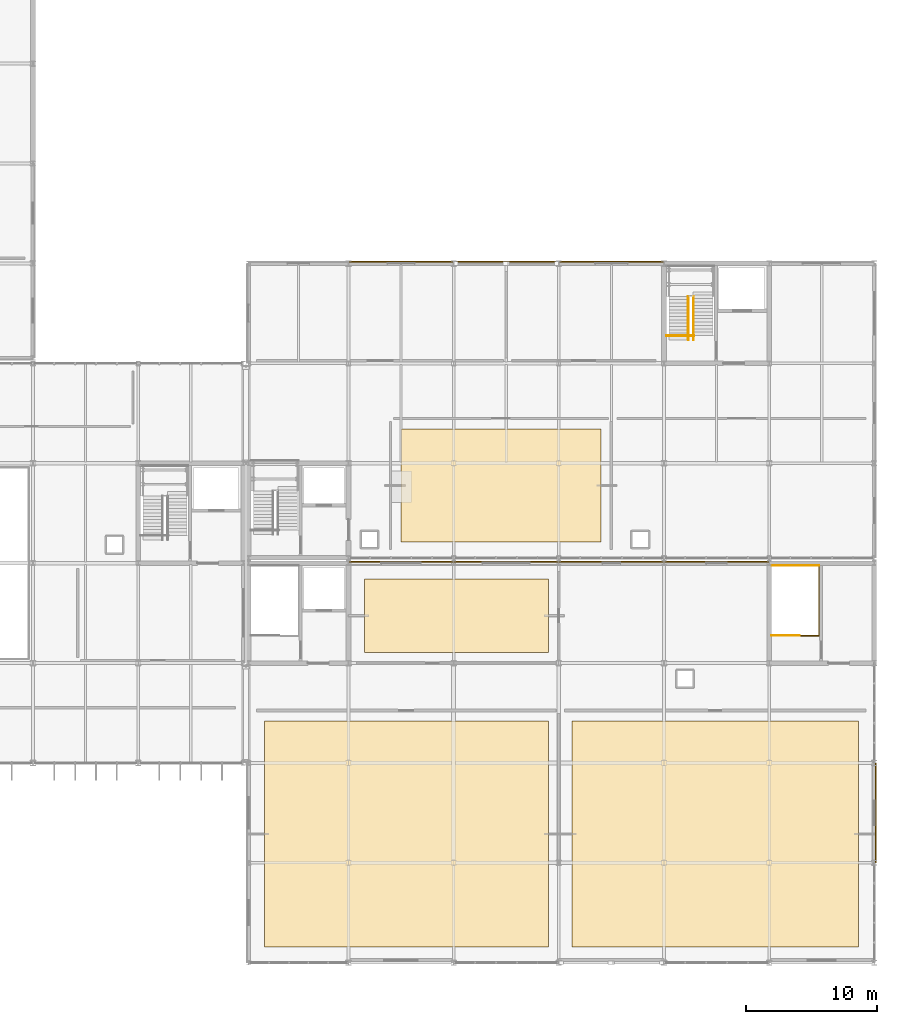
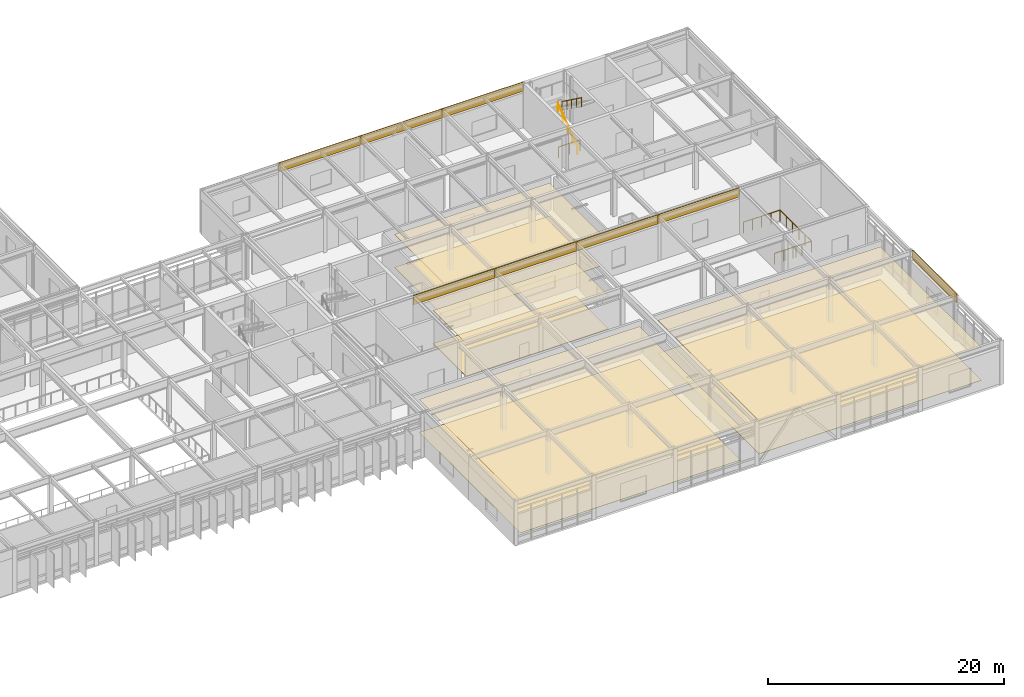
# One storey, part 103 of 104: 16 coverings, 6 railings.
"""IFC4 building model written with IfcOpenShell, lengths in metres."""

from ifc_helpers import new_model, si_unit, direction, frame, origin, origin_2d, place, context, subcontext, project, spatial, polyline, rectangle, circle, outline, extrude, material, layer, layer_set, type_object, element, save


model = new_model("IFC4")

# Units and contexts
model_context = context("Model", 3, precision=1e-05, world=origin(), true_north=direction((0.0, 1.0)))
body_context = subcontext(model_context, "Body", "Model", "MODEL_VIEW")
ifc_project = project(units=[si_unit("LENGTHUNIT", "METRE"), si_unit("AREAUNIT", "SQUARE_METRE"), si_unit("VOLUMEUNIT", "CUBIC_METRE"), si_unit("PLANEANGLEUNIT", "RADIAN"), si_unit("MASSUNIT", "GRAM", prefix="KILO")], contexts=[model_context])

# Site, building, storey
site_placement = place(None, origin())
site = spatial("IfcSite", under=ifc_project, at=site_placement, CompositionType="ELEMENT")
building_placement = place(site_placement, origin())
building = spatial("IfcBuilding", under=site, at=building_placement, Name="Zulena Civic Courthouse", CompositionType="ELEMENT")
storey_placement = place(building_placement, frame((0.0, 0.0, 15.60009765625)))
storey = spatial("IfcBuildingStorey", under=building, at=storey_placement, Name="L03", CompositionType="ELEMENT", Elevation=15.60009765625)

# Coverings
ifc_material_1 = material(Name="Perforated acoustic mineral-fibre ceiling tile", Category="concrete")
ifc_layer_1 = layer(ifc_material_1, 0.02490234375)
ifc_layer_set_1 = layer_set([ifc_layer_1], Name="Perforated acoustic mineral-fibre ceiling tile")
covering_type_1 = type_object("IfcCoveringType", Name="AcousticCeiling_25", PredefinedType="CEILING", material=ifc_layer_set_1)
covering_1_placement = place(storey_placement, frame((0.0, 0.0, 3.419921875)))
element("IfcCovering", 1, at=covering_1_placement, inside=storey, type_object=covering_type_1, Name="ceil:L03:226", PredefinedType="CEILING", context=body_context, shape_type="SweptSolid", body=[
    extrude(outline(polyline([(125.60009765625, 1.199951171875), (147.199951171875, 1.199951171875), (147.199951171875, 18.39990234375), (125.60009765625, 18.39990234375), (125.60009765625, 1.199951171875)])), origin(), (0.0, 0.0, 1.0), 0.02490234375),
])
covering_2_placement = place(storey_placement, frame((0.0, 0.0, 3.419921875)))
element("IfcCovering", 2, at=covering_2_placement, inside=storey, type_object=covering_type_1, Name="ceil:L03:227", PredefinedType="CEILING", context=body_context, shape_type="SweptSolid", body=[
    extrude(outline(polyline([(149.0, 1.199951171875), (170.800048828125, 1.199951171875), (170.800048828125, 18.39990234375), (149.0, 18.39990234375), (149.0, 1.199951171875)])), origin(), (0.0, 0.0, 1.0), 0.02490234375),
])
covering_3_placement = place(storey_placement, frame((0.0, 0.0, 3.419921875)))
element("IfcCovering", 3, at=covering_3_placement, inside=storey, type_object=covering_type_1, Name="ceil:L03:228", PredefinedType="CEILING", context=body_context, shape_type="SweptSolid", body=[
    extrude(outline(polyline([(133.199951171875, 23.60009765625), (147.199951171875, 23.60009765625), (147.199951171875, 29.199951171875), (133.199951171875, 29.199951171875), (133.199951171875, 23.60009765625)])), origin(), (0.0, 0.0, 1.0), 0.02490234375),
])
covering_4_placement = place(storey_placement, frame((0.0, 0.0, 3.419921875)))
element("IfcCovering", 4, at=covering_4_placement, inside=storey, type_object=covering_type_1, Name="ceil:L03:274", PredefinedType="CEILING", context=body_context, shape_type="SweptSolid", body=[
    extrude(outline(polyline([(136.0, 32.0), (151.199951171875, 32.0), (151.199951171875, 40.60009765625), (136.0, 40.60009765625), (136.0, 32.0)])), origin(), (0.0, 0.0, 1.0), 0.02490234375),
])

# Railings
ifc_material_2 = material(Name="Brushed architectural steel ASTM A36", Category="steel")
railing_type_1 = type_object("IfcRailingType", Name="InteriorGuardrail_1150", PredefinedType="GUARDRAIL", material=ifc_material_2)
railing_1_placement = place(storey_placement, frame((164.199951171875, 30.2099609375, 0.0)))
element("IfcRailing", 5, at=railing_1_placement, inside=storey, type_object=railing_type_1, Name="gr:wellN:K1B:L02", PredefinedType="GUARDRAIL", context=body_context, shape_type="SweptSolid", body=[
    extrude(circle(Radius=0.02392578125, at=origin_2d()), frame((0.00390625, 0.0, 1.1259765625), z_axis=(1.0, 0.0, 0.0), x_axis=(0.0, 1.0, 0.0)), (0.0, 0.0, 1.0), 3.592041015625),
    extrude(circle(Radius=0.02099609375, at=origin_2d()), origin(), (0.0, 0.0, 1.0), 1.097900390625),
    extrude(circle(Radius=0.02099609375, at=origin_2d()), frame((0.89990234375, 0.0, 0.0)), (0.0, 0.0, 1.0), 1.097900390625),
    extrude(circle(Radius=0.02099609375, at=origin_2d()), frame((1.800048828125, 0.0, 0.0)), (0.0, 0.0, 1.0), 1.097900390625),
    extrude(circle(Radius=0.02099609375, at=origin_2d()), frame((2.7001953125, 0.0, 0.0)), (0.0, 0.0, 1.0), 1.097900390625),
    extrude(circle(Radius=0.02099609375, at=origin_2d()), frame((3.60009765625, 0.0, 0.0)), (0.0, 0.0, 1.0), 1.097900390625),
])
railing_2_placement = place(storey_placement, frame((167.800048828125, 30.219970703125, 0.0)))
element("IfcRailing", 6, at=railing_2_placement, inside=storey, type_object=railing_type_1, Name="gr:topwell:K1B:L02", PredefinedType="GUARDRAIL", context=body_context, shape_type="SweptSolid", body=[
    extrude(circle(Radius=0.02392578125, at=origin_2d()), frame((0.0, -0.00390625, 1.1259765625), z_axis=(0.0, -1.0, 0.0), x_axis=(1.0, 0.0, 0.0)), (0.0, 0.0, 1.0), 5.33203125),
    extrude(circle(Radius=0.02392578125, at=origin_2d()), frame((-0.00390625, -5.340087890625, 1.1259765625), z_axis=(-1.0, 0.0, 0.0), x_axis=(0.0, -1.0, 0.0)), (0.0, 0.0, 1.0), 3.612060546875),
    extrude(circle(Radius=0.02099609375, at=origin_2d()), origin(), (0.0, 0.0, 1.0), 1.097900390625),
    extrude(circle(Radius=0.02099609375, at=origin_2d()), frame((0.0, -1.068115234375, 0.0)), (0.0, 0.0, 1.0), 1.097900390625),
    extrude(circle(Radius=0.02099609375, at=origin_2d()), frame((0.0, -2.135986328125, 0.0)), (0.0, 0.0, 1.0), 1.097900390625),
    extrude(circle(Radius=0.02099609375, at=origin_2d()), frame((0.0, -3.2041015625, 0.0)), (0.0, 0.0, 1.0), 1.097900390625),
    extrude(circle(Radius=0.02099609375, at=origin_2d()), frame((0.0, -4.27197265625, 0.0)), (0.0, 0.0, 1.0), 1.097900390625),
    extrude(circle(Radius=0.02099609375, at=origin_2d()), frame((0.0, -5.340087890625, 0.0)), (0.0, 0.0, 1.0), 1.097900390625),
    extrude(circle(Radius=0.02099609375, at=origin_2d()), frame((-0.905029296875, -5.340087890625, 0.0)), (0.0, 0.0, 1.0), 1.097900390625),
    extrude(circle(Radius=0.02099609375, at=origin_2d()), frame((-1.81005859375, -5.340087890625, 0.0)), (0.0, 0.0, 1.0), 1.097900390625),
    extrude(circle(Radius=0.02099609375, at=origin_2d()), frame((-2.715087890625, -5.340087890625, 0.0)), (0.0, 0.0, 1.0), 1.097900390625),
    extrude(circle(Radius=0.02099609375, at=origin_2d()), frame((-3.6201171875, -5.340087890625, 0.0)), (0.0, 0.0, 1.0), 1.097900390625),
])
for number, where, name in (
    (7, (164.179931640625, 24.89990234375, 0.0), "gr:wells:K1B:L03"),
    (8, (156.179931640625, 47.699951171875, 0.0), "gr:wells:K3B:L03"),
):
    element("IfcRailing", number, at=place(storey_placement, frame(where)), inside=storey, type_object=railing_type_1, Name=name, PredefinedType="GUARDRAIL", context=body_context, shape_type="SweptSolid", body=[
        extrude(circle(Radius=0.02392578125, at=origin_2d()), frame((0.00390625, 0.0, 1.1259765625), z_axis=(1.0, 0.0, 0.0), x_axis=(0.0, 1.0, 0.0)), (0.0, 0.0, 1.0), 2.112060546875),
        extrude(circle(Radius=0.02099609375, at=origin_2d()), origin(), (0.0, 0.0, 1.0), 1.097900390625),
        extrude(circle(Radius=0.02099609375, at=origin_2d()), frame((1.06005859375, 0.0, 0.0)), (0.0, 0.0, 1.0), 1.097900390625),
        extrude(circle(Radius=0.02099609375, at=origin_2d()), frame((2.1201171875, 0.0, 0.0)), (0.0, 0.0, 1.0), 1.097900390625),
    ])

# Coverings
ifc_material_3 = material(Name="White architectural precast concrete C40/50", Category="concrete")
ifc_layer_2 = layer(ifc_material_3, 0.0849609375)
ifc_layer_set_2 = layer_set([ifc_layer_2], Name="White architectural precast concrete C40/50")
covering_type_2 = type_object("IfcCoveringType", Name="PrecastSpandrelCladding_85", PredefinedType="CLADDING", material=ifc_layer_set_2)
for number, where, z_axis, x_axis, name in (
    (9, (136.0, 30.52001953125, 3.659912109375), (0.0, 0.0, 1.0), (1.0, 0.0, 0.0), "clad:sp:V1:L03:1:1"),
    (10, (144.0, 30.52001953125, 3.659912109375), (0.0, 0.0, 1.0), (1.0, 0.0, 0.0), "clad:sp:V1:L03:1:2"),
    (11, (152.0, 30.52001953125, 3.659912109375), (0.0, 0.0, 1.0), (1.0, 0.0, 0.0), "clad:sp:V1:L03:1:3"),
    (12, (160.0, 30.52001953125, 3.659912109375), (0.0, 0.0, 1.0), (1.0, 0.0, 0.0), "clad:sp:V1:L03:1:4"),
):
    element("IfcCovering", number, at=place(storey_placement, frame(where, z_axis=z_axis, x_axis=x_axis)), inside=storey, type_object=covering_type_2, Name=name, PredefinedType="CLADDING", context=body_context, shape_type="SweptSolid", body=[
        extrude(rectangle(XDim=7.9599609375, YDim=0.0849609375, at=origin_2d()), origin(), (0.0, 0.0, 1.0), 0.93994140625),
    ])
covering_5_placement = place(storey_placement, frame((172.1201171875, 11.39990234375, 3.659912109375), z_axis=(0.0, 0.0, 1.0), x_axis=(0.0, -1.0, 0.0)))
element("IfcCovering", 13, at=covering_5_placement, inside=storey, type_object=covering_type_2, Name="clad:sp:V1:L03:2:2", PredefinedType="CLADDING", context=body_context, shape_type="SweptSolid", body=[
    extrude(rectangle(XDim=7.56005859375, YDim=0.0849609375, at=origin_2d()), origin(), (0.0, 0.0, 1.0), 0.93994140625),
])
for number, where, z_axis, x_axis, name in (
    (14, (136.0, 53.320068359375, 3.60498046875), (0.0, 0.0, 1.0), (1.0, 0.0, 0.0), "clad:sp:V3:L03:1:1"),
    (15, (144.0, 53.320068359375, 3.60498046875), (0.0, 0.0, 1.0), (1.0, 0.0, 0.0), "clad:sp:V3:L03:1:2"),
    (16, (152.0, 53.320068359375, 3.60498046875), (0.0, 0.0, 1.0), (1.0, 0.0, 0.0), "clad:sp:V3:L03:1:3"),
):
    element("IfcCovering", number, at=place(storey_placement, frame(where, z_axis=z_axis, x_axis=x_axis)), inside=storey, type_object=covering_type_2, Name=name, PredefinedType="CLADDING", context=body_context, shape_type="SweptSolid", body=[
        extrude(rectangle(XDim=7.9599609375, YDim=0.0849609375, at=origin_2d()), origin(), (0.0, 0.0, 1.0), 0.93994140625),
    ])

# Railings
railing_type_2 = type_object("IfcRailingType", Name="StairHandrail_920", PredefinedType="HANDRAIL", material=ifc_material_2)
railing_3_placement = place(storey_placement, frame((157.85009765625, 47.3798828125, 0.0)))
element("IfcRailing", 17, at=railing_3_placement, inside=storey, type_object=railing_type_2, Name="hr:K3B:L03:1", PredefinedType="HANDRAIL", context=body_context, shape_type="SweptSolid", body=[
    extrude(circle(Radius=0.02392578125, at=origin_2d()), frame((0.0, 0.003173828125, 0.898193359375), z_axis=(0.0, 0.80998804985, 0.586446382119), x_axis=(-1.0, 0.0, 0.0)), (0.0, 0.0, 1.0), 4.084228515625),
    extrude(circle(Radius=0.02099609375, at=origin_2d()), origin(), (0.0, 0.0, 1.0), 0.867919921875),
    extrude(circle(Radius=0.02099609375, at=origin_2d()), frame((0.0, 0.82861328125, 0.60009765625)), (0.0, 0.0, 1.0), 0.867919921875),
    extrude(circle(Radius=0.02099609375, at=origin_2d()), frame((0.0, 1.6572265625, 1.199951171875)), (0.0, 0.0, 1.0), 0.867919921875),
    extrude(circle(Radius=0.02099609375, at=origin_2d()), frame((0.0, 2.486083984375, 1.7998046875)), (0.0, 0.0, 1.0), 0.867919921875),
    extrude(circle(Radius=0.02099609375, at=origin_2d()), frame((0.0, 3.314697265625, 2.39990234375)), (0.0, 0.0, 1.0), 0.867919921875),
])
railing_4_placement = place(storey_placement, frame((158.25, 50.694580078125, 2.39990234375)))
element("IfcRailing", 18, at=railing_4_placement, inside=storey, type_object=railing_type_2, Name="hr:K3B:L03:2", PredefinedType="HANDRAIL", context=body_context, shape_type="SweptSolid", body=[
    extrude(circle(Radius=0.02392578125, at=origin_2d()), frame((0.0, -0.003173828125, 0.898193359375), z_axis=(0.0, -0.80998804985, 0.586446382119), x_axis=(1.0, 0.0, 0.0)), (0.0, 0.0, 1.0), 4.084228515625),
    extrude(circle(Radius=0.02099609375, at=origin_2d()), origin(), (0.0, 0.0, 1.0), 0.867919921875),
    extrude(circle(Radius=0.02099609375, at=origin_2d()), frame((0.0, -0.82861328125, 0.60009765625)), (0.0, 0.0, 1.0), 0.867919921875),
    extrude(circle(Radius=0.02099609375, at=origin_2d()), frame((0.0, -1.6572265625, 1.199951171875)), (0.0, 0.0, 1.0), 0.867919921875),
    extrude(circle(Radius=0.02099609375, at=origin_2d()), frame((0.0, -2.486083984375, 1.7998046875)), (0.0, 0.0, 1.0), 0.867919921875),
    extrude(circle(Radius=0.02099609375, at=origin_2d()), frame((0.0, -3.314697265625, 2.39990234375)), (0.0, 0.0, 1.0), 0.867919921875),
])

# Coverings
ifc_material_4 = material(Name="Honed travertine stone flooring", Category="masonry")
ifc_layer_3 = layer(ifc_material_4, 0.030029296875)
ifc_layer_set_3 = layer_set([ifc_layer_3], Name="Honed travertine stone flooring")
covering_type_3 = type_object("IfcCoveringType", Name="TravertineFlooring_30", PredefinedType="FLOORING", material=ifc_layer_set_3)
covering_6_placement = place(storey_placement, origin())
element("IfcCovering", 19, at=covering_6_placement, inside=storey, type_object=covering_type_3, Name="floor:L03:226", PredefinedType="FLOORING", context=body_context, shape_type="SweptSolid", body=[
    extrude(outline(polyline([(125.60009765625, 1.199951171875), (147.199951171875, 1.199951171875), (147.199951171875, 18.39990234375), (125.60009765625, 18.39990234375), (125.60009765625, 1.199951171875)])), origin(), (0.0, 0.0, 1.0), 0.02978515625),
])
covering_7_placement = place(storey_placement, origin())
element("IfcCovering", 20, at=covering_7_placement, inside=storey, type_object=covering_type_3, Name="floor:L03:227", PredefinedType="FLOORING", context=body_context, shape_type="SweptSolid", body=[
    extrude(outline(polyline([(149.0, 1.199951171875), (170.800048828125, 1.199951171875), (170.800048828125, 18.39990234375), (149.0, 18.39990234375), (149.0, 1.199951171875)])), origin(), (0.0, 0.0, 1.0), 0.02978515625),
])
covering_8_placement = place(storey_placement, origin())
element("IfcCovering", 21, at=covering_8_placement, inside=storey, type_object=covering_type_3, Name="floor:L03:228", PredefinedType="FLOORING", context=body_context, shape_type="SweptSolid", body=[
    extrude(outline(polyline([(133.199951171875, 23.60009765625), (147.199951171875, 23.60009765625), (147.199951171875, 29.199951171875), (133.199951171875, 29.199951171875), (133.199951171875, 23.60009765625)])), origin(), (0.0, 0.0, 1.0), 0.02978515625),
])
covering_9_placement = place(storey_placement, origin())
element("IfcCovering", 22, at=covering_9_placement, inside=storey, type_object=covering_type_3, Name="floor:L03:274", PredefinedType="FLOORING", context=body_context, shape_type="SweptSolid", body=[
    extrude(outline(polyline([(136.0, 32.0), (151.199951171875, 32.0), (151.199951171875, 40.60009765625), (136.0, 40.60009765625), (136.0, 32.0)])), origin(), (0.0, 0.0, 1.0), 0.02978515625),
])

save(model, "model.ifc")
